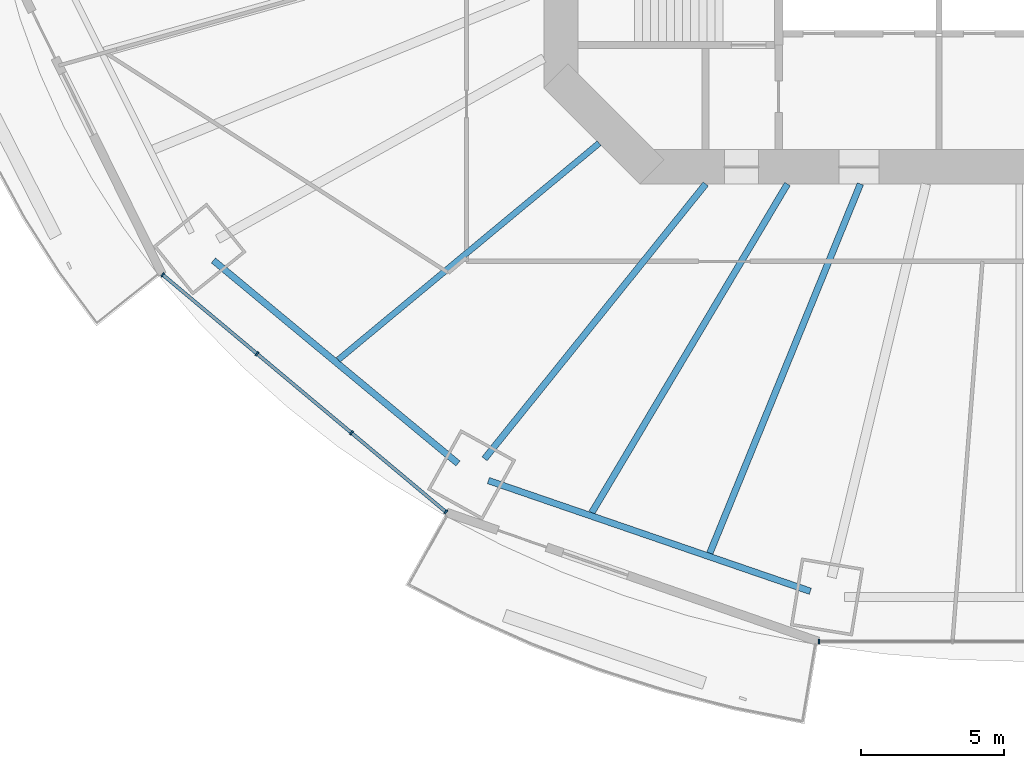
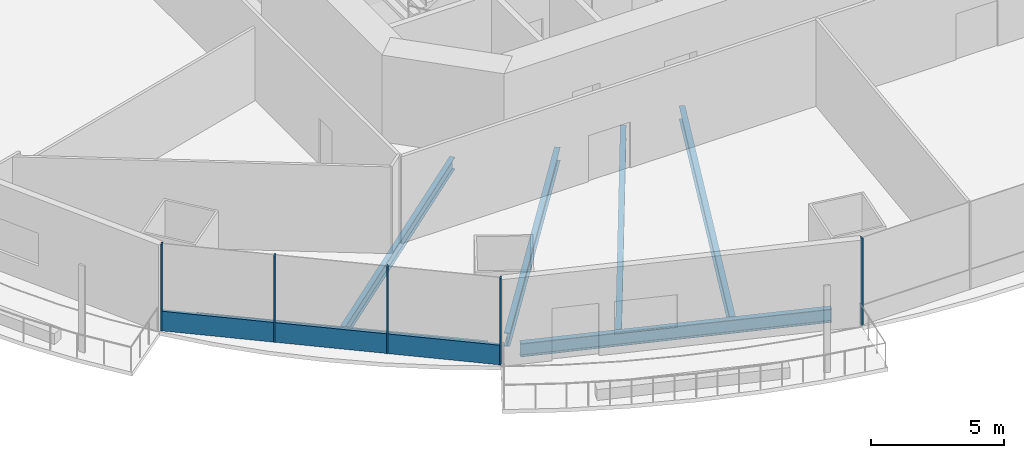
# One storey, part 2 of 23: 6 beams, 6 members, 2 elements without a shape of their own.
"""IFC4 building model written with IfcOpenShell, lengths in metres."""

from ifc_helpers import new_model, si_unit, direction, frame, origin, origin_2d, place, context, subcontext, project, spatial, rectangle, i_section, extrude, material, material_profile, profile_set, type_object, element, aggregate, save


model = new_model("IFC4")

# Units and contexts
model_context = context("Model", 3, precision=1e-05, world=origin(), true_north=direction((0.0, 1.0)))
body_context = subcontext(model_context, "Body", "Model", "MODEL_VIEW")
ifc_project = project(units=[si_unit("LENGTHUNIT", "METRE"), si_unit("AREAUNIT", "SQUARE_METRE"), si_unit("VOLUMEUNIT", "CUBIC_METRE"), si_unit("PLANEANGLEUNIT", "RADIAN"), si_unit("MASSUNIT", "GRAM", prefix="KILO")], contexts=[model_context])

# Site, building, storey
site_placement = place(None, origin())
site = spatial("IfcSite", under=ifc_project, at=site_placement, CompositionType="ELEMENT")
building_placement = place(site_placement, origin())
building = spatial("IfcBuilding", under=site, at=building_placement, Name="Marenthal Gate Tower", CompositionType="ELEMENT")
storey_placement = place(building_placement, frame((0.0, 0.0, 66.199951171875)))
storey = spatial("IfcBuildingStorey", under=building, at=storey_placement, Name="L12", CompositionType="ELEMENT", Elevation=66.199951171875)

# Curtain wall, members
ifc_material_1 = material(Name="Aluminium and glass", Category="aluminium")
curtain_wall_type = type_object("IfcCurtainWallType", Name="Curtain wall typical low", PredefinedType="NOTDEFINED", material=ifc_material_1)
curtain_wall_1_placement = place(storey_placement, origin())
curtain_wall_1 = element("IfcCurtainWall", 1, at=curtain_wall_1_placement, inside=storey, type_object=curtain_wall_type, Name="Curtain wall L12 bay 10", PredefinedType="NOTDEFINED")
ifc_material_2 = material(Name="Aluminium", Category="aluminium")
ifc_material_profile_1 = material_profile(ifc_material_2, rectangle(XDim=0.159912109375, YDim=0.06005859375, at=origin_2d()), Name="60x160 aluminium mullion")
ifc_profile_set_1 = profile_set([ifc_material_profile_1], Name="Aluminium")
member_type_1 = type_object("IfcMemberType", Name="Mullion 60x160 typical low", PredefinedType="MULLION", material=ifc_profile_set_1)
member_1_placement = place(storey_placement, frame((-29.90576171875, -16.76904296875, 0.0), z_axis=(0.0, 0.0, 1.0), x_axis=(0.642111737517, 0.766611059497, 0.0)))
member_1 = element("IfcMember", 2, at=member_1_placement, type_object=member_type_1, Name="Mullion L12 bay 10.1", PredefinedType="MULLION", context=body_context, shape_type="SweptSolid", body=[
    extrude(rectangle(XDim=0.159912109375, YDim=0.06005859375, at=origin_2d()), origin(), (0.0, 0.0, 1.0), 3.969970703125),
])
member_2_placement = place(storey_placement, frame((-26.61083984375, -19.529052734375, 0.0), z_axis=(0.0, 0.0, 1.0), x_axis=(0.642111737517, 0.766611059497, 0.0)))
member_2 = element("IfcMember", 3, at=member_2_placement, type_object=member_type_1, Name="Mullion L12 bay 10.2", PredefinedType="MULLION", context=body_context, shape_type="SweptSolid", body=[
    extrude(rectangle(XDim=0.159912109375, YDim=0.06005859375, at=origin_2d()), origin(), (0.0, 0.0, 1.0), 3.969970703125),
])
member_3_placement = place(storey_placement, frame((-23.315673828125, -22.288818359375, 0.0), z_axis=(0.0, 0.0, 1.0), x_axis=(0.642111737517, 0.766611059497, 0.0)))
member_3 = element("IfcMember", 4, at=member_3_placement, type_object=member_type_1, Name="Mullion L12 bay 10.3", PredefinedType="MULLION", context=body_context, shape_type="SweptSolid", body=[
    extrude(rectangle(XDim=0.159912109375, YDim=0.06005859375, at=origin_2d()), origin(), (0.0, 0.0, 1.0), 3.969970703125),
])
member_4_placement = place(storey_placement, frame((-20.020751953125, -25.048828125, 0.0), z_axis=(0.0, 0.0, 1.0), x_axis=(0.642111737517, 0.766611059497, 0.0)))
member_4 = element("IfcMember", 5, at=member_4_placement, type_object=member_type_1, Name="Mullion L12 bay 10.4", PredefinedType="MULLION", context=body_context, shape_type="SweptSolid", body=[
    extrude(rectangle(XDim=0.159912109375, YDim=0.06005859375, at=origin_2d()), origin(), (0.0, 0.0, 1.0), 3.969970703125),
])

# Curtain wall, member
curtain_wall_2_placement = place(storey_placement, origin())
curtain_wall_2 = element("IfcCurtainWall", 6, at=curtain_wall_2_placement, inside=storey, type_object=curtain_wall_type, Name="Curtain wall L12 bay 12", PredefinedType="NOTDEFINED")
member_5_placement = place(storey_placement, frame((-6.9921875, -29.569580078125, 0.0), z_axis=(0.0, 0.0, 1.0), x_axis=(0.0, 1.0, 0.0)))
member_5 = element("IfcMember", 7, at=member_5_placement, type_object=member_type_1, Name="Mullion L12 bay 12.1", PredefinedType="MULLION", context=body_context, shape_type="SweptSolid", body=[
    extrude(rectangle(XDim=0.159912109375, YDim=0.06005859375, at=origin_2d()), origin(), (0.0, 0.0, 1.0), 3.969970703125),
])
aggregate(curtain_wall_2, [member_5])

# Member
ifc_material_3 = material(Name="Aluminium", Category="aluminium")
ifc_material_profile_2 = material_profile(ifc_material_3, rectangle(XDim=0.1201171875, YDim=0.89990234375, at=origin_2d()), Name="120x900 aluminium transom")
ifc_profile_set_2 = profile_set([ifc_material_profile_2], Name="Aluminium")
member_type_2 = type_object("IfcMemberType", Name="Transom 120x900 typical low", PredefinedType="USERDEFINED", material=ifc_profile_set_2)
member_6_placement = place(storey_placement, frame((-29.8828125, -16.788330078125, 0.449951171875), z_axis=(0.766611330769, -0.642111413648, 0.0), x_axis=(0.642111413648, 0.766611330769, 0.0)))
member_6 = element("IfcMember", 8, at=member_6_placement, type_object=member_type_2, Name="Transom L12 bay 10", ObjectType="TRANSOM", PredefinedType="USERDEFINED", context=body_context, shape_type="SweptSolid", body=[
    extrude(rectangle(XDim=0.1201171875, YDim=0.89990234375, at=origin_2d()), origin(), (0.0, 0.0, 1.0), 12.83447265625),
])

aggregate(curtain_wall_1, [member_1, member_2, member_3, member_4, member_6])

# Beams
ifc_material_4 = material(Name="Steel S355", Category="steel")
ifc_material_profile_3 = material_profile(ifc_material_4, i_section(OverallWidth=0.2119140625, OverallDepth=0.5439453125, WebThickness=0.01318359375, FlangeThickness=0.021240234375, FilletRadius=0.0126953125, at=origin_2d()), Name="W530X123")
ifc_profile_set_3 = profile_set([ifc_material_profile_3], Name="Steel S355")
beam_type_1 = type_object("IfcBeamType", Name="W530X123 beam", PredefinedType="BEAM", material=ifc_profile_set_3)
beam_1_placement = place(storey_placement, frame((-23.77783203125, -19.73876953125, -0.451904296875), z_axis=(0.769432069778, 0.638728651304, 0.0), x_axis=(-0.638728651304, 0.769432069778, 0.0)))
element("IfcBeam", 9, at=beam_1_placement, inside=storey, type_object=beam_type_1, Name="BM-L12-31", PredefinedType="BEAM", context=body_context, shape_type="SweptSolid", body=[
    extrude(i_section(OverallWidth=0.2119140625, OverallDepth=0.5439453125, WebThickness=0.01318359375, FlangeThickness=0.021240234375, FilletRadius=0.0126953125, at=origin_2d()), origin(), (0.0, 0.0, 1.0), 11.8369140625),
])
ifc_material_5 = material(Name="Steel S355", Category="steel")
ifc_material_profile_4 = material_profile(ifc_material_5, i_section(OverallWidth=0.22900390625, OverallDepth=0.612060546875, WebThickness=0.011962890625, FlangeThickness=0.01953125, FilletRadius=0.0126953125, at=origin_2d()), Name="W610X125")
ifc_profile_set_4 = profile_set([ifc_material_profile_4], Name="Steel S355")
beam_type_2 = type_object("IfcBeamType", Name="W610X125 beam", PredefinedType="BEAM", material=ifc_profile_set_4)
beam_2_placement = place(storey_placement, frame((-18.669921875, -23.195068359375, -0.48583984375), z_axis=(0.62702730147, 0.778997280618, 0.0), x_axis=(-0.778997280618, 0.62702730147, 0.0)))
element("IfcBeam", 10, at=beam_2_placement, inside=storey, type_object=beam_type_2, Name="BM-L12-11", PredefinedType="BEAM", context=body_context, shape_type="SweptSolid", body=[
    extrude(i_section(OverallWidth=0.22900390625, OverallDepth=0.612060546875, WebThickness=0.011962890625, FlangeThickness=0.01953125, FilletRadius=0.0126953125, at=origin_2d()), origin(), (0.0, 0.0, 1.0), 12.317138671875),
])
beam_3_placement = place(storey_placement, frame((-14.9248046875, -25.07568359375, -0.48583984375), z_axis=(0.51146264721, 0.859305510578, 0.0), x_axis=(-0.859305510578, 0.51146264721, 0.0)))
element("IfcBeam", 11, at=beam_3_placement, inside=storey, type_object=beam_type_2, Name="BM-L12-32", PredefinedType="BEAM", context=body_context, shape_type="SweptSolid", body=[
    extrude(i_section(OverallWidth=0.22900390625, OverallDepth=0.612060546875, WebThickness=0.011962890625, FlangeThickness=0.01953125, FilletRadius=0.0126953125, at=origin_2d()), origin(), (0.0, 0.0, 1.0), 13.3544921875),
])
beam_4_placement = place(storey_placement, frame((-10.805908203125, -26.491943359375, -0.48583984375), z_axis=(0.377685635209, 0.925933885845, 0.0), x_axis=(-0.925933885845, 0.377685635209, 0.0)))
element("IfcBeam", 12, at=beam_4_placement, inside=storey, type_object=beam_type_2, Name="BM-L12-33", PredefinedType="BEAM", context=body_context, shape_type="SweptSolid", body=[
    extrude(i_section(OverallWidth=0.22900390625, OverallDepth=0.612060546875, WebThickness=0.011962890625, FlangeThickness=0.01953125, FilletRadius=0.0126953125, at=origin_2d()), origin(), (0.0, 0.0, 1.0), 13.923095703125),
])
beam_5_placement = place(storey_placement, frame((-28.135986328125, -16.26953125, -0.48583984375), z_axis=(0.769424366687, -0.63873793057, 0.0), x_axis=(0.63873793057, 0.769424366687, 0.0)))
element("IfcBeam", 13, at=beam_5_placement, inside=storey, type_object=beam_type_2, Name="BM-L12-50", PredefinedType="BEAM", context=body_context, shape_type="SweptSolid", body=[
    extrude(i_section(OverallWidth=0.22900390625, OverallDepth=0.612060546875, WebThickness=0.011962890625, FlangeThickness=0.01953125, FilletRadius=0.0126953125, at=origin_2d()), origin(), (0.0, 0.0, 1.0), 11.0986328125),
])
beam_6_placement = place(storey_placement, frame((-18.536376953125, -23.954833984375, -0.48583984375), z_axis=(0.945656601656, -0.325167021304, 0.0), x_axis=(0.325167021304, 0.945656601656, 0.0)))
element("IfcBeam", 14, at=beam_6_placement, inside=storey, type_object=beam_type_2, Name="BM-L12-51", PredefinedType="BEAM", context=body_context, shape_type="SweptSolid", body=[
    extrude(i_section(OverallWidth=0.22900390625, OverallDepth=0.612060546875, WebThickness=0.011962890625, FlangeThickness=0.01953125, FilletRadius=0.0126953125, at=origin_2d()), origin(), (0.0, 0.0, 1.0), 11.88623046875),
])

save(model, "model.ifc")
